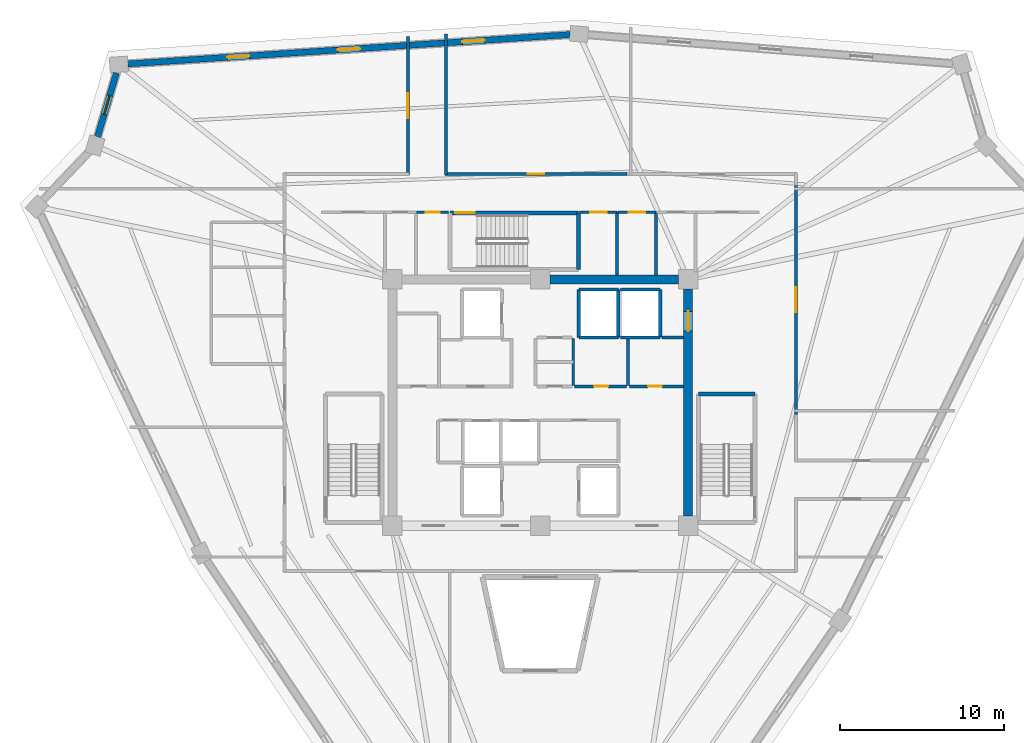
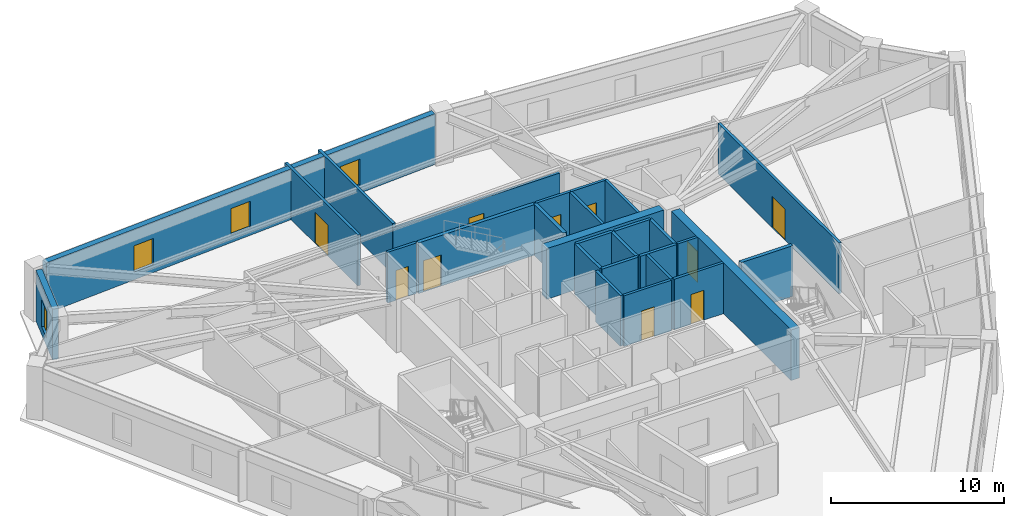
# One storey, part 6 of 8: 28 walls, 10 doors, 4 windows, 14 openings.
"""IFC4 building model written with IfcOpenShell, lengths in metres."""

from ifc_helpers import new_model, si_unit, direction, frame, frame_2d, origin, place, context, subcontext, project, spatial, rectangle, extrude, source, transform, mapped, material, layer, layer_set, type_object, element, fill, save


model = new_model("IFC4")

# Units and contexts
model_context = context("Model", 3, precision=1e-05, world=origin(), true_north=direction((0.0, 1.0)))
body_context = subcontext(model_context, "Body", "Model", "MODEL_VIEW")
ifc_project = project(units=[si_unit("LENGTHUNIT", "METRE"), si_unit("AREAUNIT", "SQUARE_METRE"), si_unit("VOLUMEUNIT", "CUBIC_METRE"), si_unit("PLANEANGLEUNIT", "RADIAN"), si_unit("MASSUNIT", "GRAM", prefix="KILO")], contexts=[model_context])

# Site, building, storey
site_placement = place(None, origin())
site = spatial("IfcSite", under=ifc_project, at=site_placement, CompositionType="ELEMENT")
building_placement = place(site_placement, origin())
building = spatial("IfcBuilding", under=site, at=building_placement, Name="Liaohun Quay Tower", CompositionType="ELEMENT")
storey_placement = place(building_placement, frame((0.0, 0.0, 290.25)))
storey = spatial("IfcBuildingStorey", under=building, at=storey_placement, Name="L75", CompositionType="ELEMENT", Elevation=290.25)

# Wall
ifc_material_1 = material(Name="Concrete C50", Category="concrete")
ifc_layer_1 = layer(ifc_material_1, 0.550048828125, Name="Concrete C50", Category="concrete")
ifc_layer_set_1 = layer_set([ifc_layer_1], Name="Concrete C50")
wall_type_1 = type_object("IfcWallType", Name="WAL-COR-Z4", PredefinedType="SHEAR", material=ifc_layer_set_1)
wall_1_placement = place(storey_placement, frame((60.60009765625, 61.5, 0.0), z_axis=(0.0, 0.0, 1.0), x_axis=(1.0, 0.0, 0.0)))
element("IfcWall", 1, at=wall_1_placement, inside=storey, type_object=wall_type_1, Name="L75 Central Core Shear Wall N-E", PredefinedType="SHEAR", context=body_context, shape_type="SweptSolid", body=[
    extrude(rectangle(XDim=7.7998046875, YDim=0.550048828125, at=frame_2d((3.89990234375, 0.0))), origin(), (0.0, 0.0, 1.0), 3.570068359375),
])

# Wall, opening, door
wall_2_placement = place(storey_placement, frame((69.0, 60.89990234375, 0.0), z_axis=(0.0, 0.0, 1.0), x_axis=(0.0, -1.0, 0.0)))
wall_2 = element("IfcWall", 2, at=wall_2_placement, inside=storey, type_object=wall_type_1, Name="L75 Central Core Shear Wall E", PredefinedType="SHEAR", context=body_context, shape_type="SweptSolid", body=[
    extrude(rectangle(XDim=13.7998046875, YDim=0.550048828125, at=frame_2d((6.89990234375, 0.0))), origin(), (0.0, 0.0, 1.0), 3.570068359375),
])
shared_shape_1 = source(origin(), body_context, "Body", "SweptSolid", [
    extrude(rectangle(XDim=1.199951171875, YDim=2.199951171875, at=frame_2d((0.60009765625, 1.10009765625))), frame((0.0, 0.284912109375, 0.0), z_axis=(0.0, -1.0, 0.0), x_axis=(1.0, 0.0, 0.0)), (0.0, 0.0, 1.0), 0.570068359375),
])
opening_1_placement = place(wall_2_placement, frame((1.35009765625, 0.0, 0.0)))
opening_1 = element("IfcOpeningElement", 3, at=opening_1_placement, cuts=wall_2, Name="Opening SD1", PredefinedType="OPENING", context=body_context, shape_type="MappedRepresentation", body=[
    mapped(shared_shape_1, transform((0.0, 0.0, 0.0), x_axis=(1.0, 0.0, 0.0), y_axis=(0.0, 1.0, 0.0), z_axis=(0.0, 0.0, 1.0), scale=1.0)),
])
ifc_material_2 = material(Name="Galvanised steel fire door", Category="steel")
door_type_1 = type_object("IfcDoorType", Name="DOR-STR-1200", OperationType="NOTDEFINED", PredefinedType="DOOR", material=ifc_material_2)
shared_shape_2 = source(origin(), body_context, "Body", "SweptSolid", [
    extrude(rectangle(XDim=1.199951171875, YDim=2.199951171875, at=frame_2d((0.60009765625, 1.10009765625))), frame((0.0, 0.02490234375, 0.0), z_axis=(0.0, -1.0, 0.0), x_axis=(1.0, 0.0, 0.0)), (0.0, 0.0, 1.0), 0.050048828125),
])
door_1_placement = place(opening_1_placement, origin())
door_1 = element("IfcDoor", 4, at=door_1_placement, inside=storey, type_object=door_type_1, Name="L75 North-East Core Lobby Smokeproof Door", OperationType="SINGLE_SWING_LEFT", OverallHeight=2.199951171875, OverallWidth=1.199951171875, PredefinedType="DOOR", context=body_context, shape_type="MappedRepresentation", body=[
    mapped(shared_shape_2, transform((0.0, 0.0, 0.0), x_axis=(1.0, 0.0, 0.0), y_axis=(0.0, 1.0, 0.0), z_axis=(0.0, 0.0, 1.0), scale=1.0)),
])
fill(opening_1, door_1)

# Wall, openings, windows
ifc_material_3 = material(Name="Precast concrete C50 insulated sandwich", Category="concrete")
ifc_layer_2 = layer(ifc_material_3, 0.3798828125, Name="Precast concrete C50 insulated sandwich", Category="concrete")
ifc_layer_set_2 = layer_set([ifc_layer_2], Name="Precast concrete C50 insulated sandwich")
wall_type_2 = type_object("IfcWallType", Name="WAL-EXT-Z34", PredefinedType="SOLIDWALL", material=ifc_layer_set_2)
wall_3_placement = place(storey_placement, frame((61.821044921875, 76.39111328125, 0.0), z_axis=(0.0, 0.0, 1.0), x_axis=(-0.997809311933, -0.06615570285, 0.0)))
wall_3 = element("IfcWall", 5, at=wall_3_placement, inside=storey, type_object=wall_type_2, Name="L75 Brutalist Precast Pier Wall 07", PredefinedType="SOLIDWALL", context=body_context, shape_type="SweptSolid", body=[
    extrude(rectangle(XDim=26.984130859375, YDim=0.3798828125, at=frame_2d((13.4921875, 0.0))), origin(), (0.0, 0.0, 1.0), 3.570068359375),
])
shared_shape_3 = source(origin(), body_context, "Body", "SweptSolid", [
    extrude(rectangle(XDim=1.35009765625, YDim=1.85009765625, at=frame_2d((0.675048828125, 0.925048828125))), frame((0.0, 0.199951171875, 0.0), z_axis=(0.0, -1.0, 0.0), x_axis=(1.0, 0.0, 0.0)), (0.0, 0.0, 1.0), 0.39990234375),
])
opening_2_placement = place(wall_3_placement, frame((5.220947265625, 0.0, 0.550048828125)))
opening_2 = element("IfcOpeningElement", 6, at=opening_2_placement, cuts=wall_3, Name="Opening W04", PredefinedType="OPENING", context=body_context, shape_type="MappedRepresentation", body=[
    mapped(shared_shape_3, transform((0.0, 0.0, 0.0), x_axis=(1.0, 0.0, 0.0), y_axis=(0.0, 1.0, 0.0), z_axis=(0.0, 0.0, 1.0), scale=1.0)),
])
opening_3_placement = place(wall_3_placement, frame((12.81689453125, 0.0, 0.550048828125)))
opening_3 = element("IfcOpeningElement", 7, at=opening_3_placement, cuts=wall_3, Name="Opening W04", PredefinedType="OPENING", context=body_context, shape_type="MappedRepresentation", body=[
    mapped(shared_shape_3, transform((0.0, 0.0, 0.0), x_axis=(1.0, 0.0, 0.0), y_axis=(0.0, 1.0, 0.0), z_axis=(0.0, 0.0, 1.0), scale=1.0)),
])
opening_4_placement = place(wall_3_placement, frame((19.56298828125, 0.0, 0.550048828125)))
opening_4 = element("IfcOpeningElement", 8, at=opening_4_placement, cuts=wall_3, Name="Opening W04", PredefinedType="OPENING", context=body_context, shape_type="MappedRepresentation", body=[
    mapped(shared_shape_3, transform((0.0, 0.0, 0.0), x_axis=(1.0, 0.0, 0.0), y_axis=(0.0, 1.0, 0.0), z_axis=(0.0, 0.0, 1.0), scale=1.0)),
])
ifc_material_4 = material(Name="Triple Low-E argon glazing in thermally broken aluminium", Category="aluminium")
window_type_1 = type_object("IfcWindowType", Name="WIN-PUN-Z4", PartitioningType="SINGLE_PANEL", PredefinedType="WINDOW", material=ifc_material_4)
shared_shape_4 = source(origin(), body_context, "Body", "SweptSolid", [
    extrude(rectangle(XDim=1.35009765625, YDim=1.85009765625, at=frame_2d((0.675048828125, 0.925048828125))), frame((0.0, 0.030029296875, 0.0), z_axis=(0.0, -1.0, 0.0), x_axis=(1.0, 0.0, 0.0)), (0.0, 0.0, 1.0), 0.06005859375),
])
window_1_placement = place(opening_2_placement, origin())
window_1 = element("IfcWindow", 9, at=window_1_placement, inside=storey, type_object=window_type_1, Name="L75 Recessed Cold-Climate Punched Window 07-1", OverallHeight=1.85009765625, OverallWidth=1.35009765625, PartitioningType="SINGLE_PANEL", PredefinedType="WINDOW", context=body_context, shape_type="MappedRepresentation", body=[
    mapped(shared_shape_4, transform((0.0, 0.0, 0.0), x_axis=(1.0, 0.0, 0.0), y_axis=(0.0, 1.0, 0.0), z_axis=(0.0, 0.0, 1.0), scale=1.0)),
])
fill(opening_2, window_1)
window_2_placement = place(opening_3_placement, origin())
window_2 = element("IfcWindow", 10, at=window_2_placement, inside=storey, type_object=window_type_1, Name="L75 Recessed Cold-Climate Punched Window 07-2", OverallHeight=1.85009765625, OverallWidth=1.35009765625, PartitioningType="SINGLE_PANEL", PredefinedType="WINDOW", context=body_context, shape_type="MappedRepresentation", body=[
    mapped(shared_shape_4, transform((0.0, 0.0, 0.0), x_axis=(1.0, 0.0, 0.0), y_axis=(0.0, 1.0, 0.0), z_axis=(0.0, 0.0, 1.0), scale=1.0)),
])
fill(opening_3, window_2)
window_3_placement = place(opening_4_placement, origin())
window_3 = element("IfcWindow", 11, at=window_3_placement, inside=storey, type_object=window_type_1, Name="L75 Recessed Cold-Climate Punched Window 07-3", OverallHeight=1.85009765625, OverallWidth=1.35009765625, PartitioningType="SINGLE_PANEL", PredefinedType="WINDOW", context=body_context, shape_type="MappedRepresentation", body=[
    mapped(shared_shape_4, transform((0.0, 0.0, 0.0), x_axis=(1.0, 0.0, 0.0), y_axis=(0.0, 1.0, 0.0), z_axis=(0.0, 0.0, 1.0), scale=1.0)),
])
fill(opening_4, window_3)

# Wall, opening, window
wall_4_placement = place(storey_placement, frame((34.2041015625, 74.052001953125, 0.0), z_axis=(0.0, 0.0, 1.0), x_axis=(-0.28287675233, -0.9591562662, 0.0)))
wall_4 = element("IfcWall", 12, at=wall_4_placement, inside=storey, type_object=wall_type_2, Name="L75 Brutalist Precast Pier Wall 08", PredefinedType="SOLIDWALL", context=body_context, shape_type="SweptSolid", body=[
    extrude(rectangle(XDim=4.055419921875, YDim=0.3798828125, at=frame_2d((2.02783203125, 0.0))), origin(), (0.0, 0.0, 1.0), 3.570068359375),
])
shared_shape_5 = source(origin(), body_context, "Body", "SweptSolid", [
    extrude(rectangle(XDim=1.199951171875, YDim=1.89990234375, at=frame_2d((0.60009765625, 0.949951171875))), frame((0.0, 0.199951171875, 0.0), z_axis=(0.0, -1.0, 0.0), x_axis=(1.0, 0.0, 0.0)), (0.0, 0.0, 1.0), 0.39990234375),
])
opening_5_placement = place(wall_4_placement, frame((1.427978515625, 0.0, 0.550048828125)))
opening_5 = element("IfcOpeningElement", 13, at=opening_5_placement, cuts=wall_4, Name="Opening W05", PredefinedType="OPENING", context=body_context, shape_type="MappedRepresentation", body=[
    mapped(shared_shape_5, transform((0.0, 0.0, 0.0), x_axis=(1.0, 0.0, 0.0), y_axis=(0.0, 1.0, 0.0), z_axis=(0.0, 0.0, 1.0), scale=1.0)),
])
ifc_material_5 = material(Name="Triple Low-E corner notch glazing", Category="glass")
window_type_2 = type_object("IfcWindowType", Name="WIN-NOTCH", PartitioningType="SINGLE_PANEL", PredefinedType="WINDOW", material=ifc_material_5)
shared_shape_6 = source(origin(), body_context, "Body", "SweptSolid", [
    extrude(rectangle(XDim=1.199951171875, YDim=1.89990234375, at=frame_2d((0.60009765625, 0.949951171875))), frame((0.0, 0.030029296875, 0.0), z_axis=(0.0, -1.0, 0.0), x_axis=(1.0, 0.0, 0.0)), (0.0, 0.0, 1.0), 0.06005859375),
])
window_4_placement = place(opening_5_placement, origin())
window_4 = element("IfcWindow", 14, at=window_4_placement, inside=storey, type_object=window_type_2, Name="L75 Corner Notch Window W05-08", OverallHeight=1.89990234375, OverallWidth=1.199951171875, PartitioningType="SINGLE_PANEL", PredefinedType="WINDOW", context=body_context, shape_type="MappedRepresentation", body=[
    mapped(shared_shape_6, transform((0.0, 0.0, 0.0), x_axis=(1.0, 0.0, 0.0), y_axis=(0.0, 1.0, 0.0), z_axis=(0.0, 0.0, 1.0), scale=1.0)),
])
fill(opening_5, window_4)

# Wall, opening, door
ifc_material_6 = material(Name="Autoclaved aerated concrete blockwork", Category="masonry")
ifc_layer_3 = layer(ifc_material_6, 0.179931640625, Name="Autoclaved aerated concrete blockwork", Category="masonry")
ifc_layer_set_3 = layer_set([ifc_layer_3], Name="Autoclaved aerated concrete blockwork")
wall_type_3 = type_object("IfcWallType", Name="WAL-PRT-COR", PredefinedType="PARTITIONING", material=ifc_layer_set_3)
wall_5_placement = place(storey_placement, frame((62.10009765625, 54.97998046875, 0.0), z_axis=(0.0, 0.0, 1.0), x_axis=(1.0, 0.0, 0.0)))
wall_5 = element("IfcWall", 15, at=wall_5_placement, inside=storey, type_object=wall_type_3, Name="L75 Interior Partition Wall 004", PredefinedType="PARTITIONING", context=body_context, shape_type="SweptSolid", body=[
    extrude(rectangle(XDim=3.159912109375, YDim=0.179931640625, at=frame_2d((1.580078125, 0.0))), origin(), (0.0, 0.0, 1.0), 3.570068359375),
])
shared_shape_7 = source(origin(), body_context, "Body", "SweptSolid", [
    extrude(rectangle(XDim=0.85009765625, YDim=2.10009765625, at=frame_2d((0.425048828125, 1.050048828125))), frame((0.0, 0.099853515625, 0.0), z_axis=(0.0, -1.0, 0.0), x_axis=(1.0, 0.0, 0.0)), (0.0, 0.0, 1.0), 0.199951171875),
])
opening_6_placement = place(wall_5_placement, frame((1.175048828125, 0.0, 0.0)))
opening_6 = element("IfcOpeningElement", 16, at=opening_6_placement, cuts=wall_5, Name="Opening AD1", PredefinedType="OPENING", context=body_context, shape_type="MappedRepresentation", body=[
    mapped(shared_shape_7, transform((0.0, 0.0, 0.0), x_axis=(1.0, 0.0, 0.0), y_axis=(0.0, 1.0, 0.0), z_axis=(0.0, 0.0, 1.0), scale=1.0)),
])
ifc_material_7 = material(Name="Steel riser inspection fire door", Category="steel")
door_type_2 = type_object("IfcDoorType", Name="DOR-SHF-850", OperationType="NOTDEFINED", PredefinedType="DOOR", material=ifc_material_7)
shared_shape_8 = source(origin(), body_context, "Body", "SweptSolid", [
    extrude(rectangle(XDim=0.85009765625, YDim=2.10009765625, at=frame_2d((0.425048828125, 1.050048828125))), frame((0.0, 0.02490234375, 0.0), z_axis=(0.0, -1.0, 0.0), x_axis=(1.0, 0.0, 0.0)), (0.0, 0.0, 1.0), 0.050048828125),
])
door_2_placement = place(opening_6_placement, origin())
door_2 = element("IfcDoor", 17, at=door_2_placement, inside=storey, type_object=door_type_2, Name="L75 Core Facilities Store Door", OperationType="SINGLE_SWING_RIGHT", OverallHeight=2.10009765625, OverallWidth=0.85009765625, PredefinedType="DOOR", context=body_context, shape_type="MappedRepresentation", body=[
    mapped(shared_shape_8, transform((0.0, 0.0, 0.0), x_axis=(1.0, 0.0, 0.0), y_axis=(0.0, 1.0, 0.0), z_axis=(0.0, 0.0, 1.0), scale=1.0)),
])
fill(opening_6, door_2)

wall_6_placement = place(storey_placement, frame((65.43994140625, 54.97998046875, 0.0), z_axis=(0.0, 0.0, 1.0), x_axis=(1.0, 0.0, 0.0)))
wall_6 = element("IfcWall", 18, at=wall_6_placement, inside=storey, type_object=wall_type_3, Name="L75 Interior Partition Wall 005", PredefinedType="PARTITIONING", context=body_context, shape_type="SweptSolid", body=[
    extrude(rectangle(XDim=3.28515625, YDim=0.179931640625, at=frame_2d((1.642578125, 0.0))), origin(), (0.0, 0.0, 1.0), 3.570068359375),
])
opening_7_placement = place(wall_6_placement, frame((1.1201171875, 0.0, 0.0)))
opening_7 = element("IfcOpeningElement", 19, at=opening_7_placement, cuts=wall_6, Name="Opening AD1", PredefinedType="OPENING", context=body_context, shape_type="MappedRepresentation", body=[
    mapped(shared_shape_7, transform((0.0, 0.0, 0.0), x_axis=(1.0, 0.0, 0.0), y_axis=(0.0, 1.0, 0.0), z_axis=(0.0, 0.0, 1.0), scale=1.0)),
])
door_3_placement = place(opening_7_placement, origin())
door_3 = element("IfcDoor", 20, at=door_3_placement, inside=storey, type_object=door_type_2, Name="L75 Core Comms Equipment Room Door", OperationType="SINGLE_SWING_LEFT", OverallHeight=2.10009765625, OverallWidth=0.85009765625, PredefinedType="DOOR", context=body_context, shape_type="MappedRepresentation", body=[
    mapped(shared_shape_8, transform((0.0, 0.0, 0.0), x_axis=(1.0, 0.0, 0.0), y_axis=(0.0, 1.0, 0.0), z_axis=(0.0, 0.0, 1.0), scale=1.0)),
])
fill(opening_7, door_3)

wall_7_placement = place(storey_placement, frame((52.47998046875, 65.580078125, 0.0), z_axis=(0.0, 0.0, 1.0), x_axis=(1.0, 0.0, 0.0)))
wall_7 = element("IfcWall", 21, at=wall_7_placement, inside=storey, type_object=wall_type_3, Name="L75 Interior Partition Wall 013", PredefinedType="PARTITIONING", context=body_context, shape_type="SweptSolid", body=[
    extrude(rectangle(XDim=1.929931640625, YDim=0.179931640625, at=frame_2d((0.96484375, 0.0))), origin(), (0.0, 0.0, 1.0), 3.570068359375),
])
opening_8_placement = place(wall_7_placement, frame((0.5400390625, 0.0, 0.0)))
opening_8 = element("IfcOpeningElement", 22, at=opening_8_placement, cuts=wall_7, Name="Opening AD1", PredefinedType="OPENING", context=body_context, shape_type="MappedRepresentation", body=[
    mapped(shared_shape_7, transform((0.0, 0.0, 0.0), x_axis=(1.0, 0.0, 0.0), y_axis=(0.0, 1.0, 0.0), z_axis=(0.0, 0.0, 1.0), scale=1.0)),
])
door_4_placement = place(opening_8_placement, origin())
door_4 = element("IfcDoor", 23, at=door_4_placement, inside=storey, type_object=door_type_2, Name="L75 North-West Print Closet Door", OperationType="SINGLE_SWING_LEFT", OverallHeight=2.10009765625, OverallWidth=0.85009765625, PredefinedType="DOOR", context=body_context, shape_type="MappedRepresentation", body=[
    mapped(shared_shape_8, transform((0.0, 0.0, 0.0), x_axis=(1.0, 0.0, 0.0), y_axis=(0.0, 1.0, 0.0), z_axis=(0.0, 0.0, 1.0), scale=1.0)),
])
fill(opening_8, door_4)

wall_8_placement = place(storey_placement, frame((62.389892578125, 65.580078125, 0.0), z_axis=(0.0, 0.0, 1.0), x_axis=(1.0, 0.0, 0.0)))
wall_8 = element("IfcWall", 24, at=wall_8_placement, inside=storey, type_object=wall_type_3, Name="L75 Interior Partition Wall 014", PredefinedType="PARTITIONING", context=body_context, shape_type="SweptSolid", body=[
    extrude(rectangle(XDim=2.2900390625, YDim=0.179931640625, at=frame_2d((1.14501953125, 0.0))), origin(), (0.0, 0.0, 1.0), 3.570068359375),
])
shared_shape_9 = source(origin(), body_context, "Body", "SweptSolid", [
    extrude(rectangle(XDim=1.0, YDim=2.199951171875, at=frame_2d((0.5, 1.10009765625))), frame((0.0, 0.099853515625, 0.0), z_axis=(0.0, -1.0, 0.0), x_axis=(1.0, 0.0, 0.0)), (0.0, 0.0, 1.0), 0.199951171875),
])
opening_9_placement = place(wall_8_placement, frame((0.64501953125, 0.0, 0.0)))
opening_9 = element("IfcOpeningElement", 25, at=opening_9_placement, cuts=wall_8, Name="Opening OD1", PredefinedType="OPENING", context=body_context, shape_type="MappedRepresentation", body=[
    mapped(shared_shape_9, transform((0.0, 0.0, 0.0), x_axis=(1.0, 0.0, 0.0), y_axis=(0.0, 1.0, 0.0), z_axis=(0.0, 0.0, 1.0), scale=1.0)),
])
ifc_material_8 = material(Name="Solid-core oak veneer timber leaf in steel frame", Category="steel")
door_type_3 = type_object("IfcDoorType", Name="DOR-OFF-1000", OperationType="NOTDEFINED", PredefinedType="DOOR", material=ifc_material_8)
shared_shape_10 = source(origin(), body_context, "Body", "SweptSolid", [
    extrude(rectangle(XDim=1.0, YDim=2.199951171875, at=frame_2d((0.5, 1.10009765625))), frame((0.0, 0.02490234375, 0.0), z_axis=(0.0, -1.0, 0.0), x_axis=(1.0, 0.0, 0.0)), (0.0, 0.0, 1.0), 0.050048828125),
])
door_5_placement = place(opening_9_placement, origin())
door_5 = element("IfcDoor", 26, at=door_5_placement, inside=storey, type_object=door_type_3, Name="L75 North-East Mail Store Door", OperationType="SINGLE_SWING_RIGHT", OverallHeight=2.199951171875, OverallWidth=1.0, PredefinedType="DOOR", context=body_context, shape_type="MappedRepresentation", body=[
    mapped(shared_shape_10, transform((0.0, 0.0, 0.0), x_axis=(1.0, 0.0, 0.0), y_axis=(0.0, 1.0, 0.0), z_axis=(0.0, 0.0, 1.0), scale=1.0)),
])
fill(opening_9, door_5)

wall_9_placement = place(storey_placement, frame((64.719970703125, 65.580078125, 0.0), z_axis=(0.0, 0.0, 1.0), x_axis=(1.0, 0.0, 0.0)))
wall_9 = element("IfcWall", 27, at=wall_9_placement, inside=storey, type_object=wall_type_3, Name="L75 Interior Partition Wall 015", PredefinedType="PARTITIONING", context=body_context, shape_type="SweptSolid", body=[
    extrude(rectangle(XDim=2.320068359375, YDim=0.179931640625, at=frame_2d((1.16015625, 0.0))), origin(), (0.0, 0.0, 1.0), 3.570068359375),
])
opening_10_placement = place(wall_9_placement, frame((0.659912109375, 0.0, 0.0)))
opening_10 = element("IfcOpeningElement", 28, at=opening_10_placement, cuts=wall_9, Name="Opening OD1", PredefinedType="OPENING", context=body_context, shape_type="MappedRepresentation", body=[
    mapped(shared_shape_9, transform((0.0, 0.0, 0.0), x_axis=(1.0, 0.0, 0.0), y_axis=(0.0, 1.0, 0.0), z_axis=(0.0, 0.0, 1.0), scale=1.0)),
])
door_6_placement = place(opening_10_placement, origin())
door_6 = element("IfcDoor", 29, at=door_6_placement, inside=storey, type_object=door_type_3, Name="L75 North-East Comms Room Door", OperationType="SINGLE_SWING_LEFT", OverallHeight=2.199951171875, OverallWidth=1.0, PredefinedType="DOOR", context=body_context, shape_type="MappedRepresentation", body=[
    mapped(shared_shape_10, transform((0.0, 0.0, 0.0), x_axis=(1.0, 0.0, 0.0), y_axis=(0.0, 1.0, 0.0), z_axis=(0.0, 0.0, 1.0), scale=1.0)),
])
fill(opening_10, door_6)

wall_10_placement = place(storey_placement, frame((75.56005859375, 67.215087890625, 0.0), z_axis=(0.0, 0.0, 1.0), x_axis=(0.0, -1.0, 0.0)))
wall_10 = element("IfcWall", 30, at=wall_10_placement, inside=storey, type_object=wall_type_3, Name="L75 Interior Partition Wall 019", PredefinedType="PARTITIONING", context=body_context, shape_type="SweptSolid", body=[
    extrude(rectangle(XDim=13.93017578125, YDim=0.179931640625, at=frame_2d((6.965087890625, 0.0))), origin(), (0.0, 0.0, 1.0), 3.570068359375),
])
shared_shape_11 = source(origin(), body_context, "Body", "SweptSolid", [
    extrude(rectangle(XDim=1.5, YDim=2.199951171875, at=frame_2d((0.75, 1.10009765625))), frame((0.0, 0.099853515625, 0.0), z_axis=(0.0, -1.0, 0.0), x_axis=(1.0, 0.0, 0.0)), (0.0, 0.0, 1.0), 0.199951171875),
])
opening_11_placement = place(wall_10_placement, frame((6.215087890625, 0.0, 0.0)))
opening_11 = element("IfcOpeningElement", 31, at=opening_11_placement, cuts=wall_10, Name="Opening OD2", PredefinedType="OPENING", context=body_context, shape_type="MappedRepresentation", body=[
    mapped(shared_shape_11, transform((0.0, 0.0, 0.0), x_axis=(1.0, 0.0, 0.0), y_axis=(0.0, 1.0, 0.0), z_axis=(0.0, 0.0, 1.0), scale=1.0)),
])
ifc_material_9 = material(Name="Acoustic oak veneer double door")
door_type_4 = type_object("IfcDoorType", Name="DOR-OFF-1500", OperationType="DOUBLE_DOOR_SINGLE_SWING", PredefinedType="DOOR", material=ifc_material_9)
shared_shape_12 = source(origin(), body_context, "Body", "SweptSolid", [
    extrude(rectangle(XDim=1.5, YDim=2.199951171875, at=frame_2d((0.75, 1.10009765625))), frame((0.0, 0.02490234375, 0.0), z_axis=(0.0, -1.0, 0.0), x_axis=(1.0, 0.0, 0.0)), (0.0, 0.0, 1.0), 0.050048828125),
])
door_7_placement = place(opening_11_placement, origin())
door_7 = element("IfcDoor", 32, at=door_7_placement, inside=storey, type_object=door_type_4, Name="L75 Engineering Model Workshop 01 Door", OperationType="DOUBLE_DOOR_SINGLE_SWING", OverallHeight=2.199951171875, OverallWidth=1.5, PredefinedType="DOOR", context=body_context, shape_type="MappedRepresentation", body=[
    mapped(shared_shape_12, transform((0.0, 0.0, 0.0), x_axis=(1.0, 0.0, 0.0), y_axis=(0.0, 1.0, 0.0), z_axis=(0.0, 0.0, 1.0), scale=1.0)),
])
fill(opening_11, door_7)

wall_11_placement = place(storey_placement, frame((54.18994140625, 67.909912109375, 0.0), z_axis=(0.0, 0.0, 1.0), x_axis=(1.0, 0.0, 0.0)))
wall_11 = element("IfcWall", 33, at=wall_11_placement, inside=storey, type_object=wall_type_3, Name="L75 Interior Partition Wall 021", PredefinedType="PARTITIONING", context=body_context, shape_type="SweptSolid", body=[
    extrude(rectangle(XDim=11.094970703125, YDim=0.179931640625, at=frame_2d((5.54736328125, 0.0))), origin(), (0.0, 0.0, 1.0), 3.260986328125),
])
opening_12_placement = place(wall_11_placement, frame((5.047119140625, 0.0, 0.0)))
opening_12 = element("IfcOpeningElement", 34, at=opening_12_placement, cuts=wall_11, Name="Opening OD1", PredefinedType="OPENING", context=body_context, shape_type="MappedRepresentation", body=[
    mapped(shared_shape_9, transform((0.0, 0.0, 0.0), x_axis=(1.0, 0.0, 0.0), y_axis=(0.0, 1.0, 0.0), z_axis=(0.0, 0.0, 1.0), scale=1.0)),
])
door_8_placement = place(opening_12_placement, origin())
door_8 = element("IfcDoor", 35, at=door_8_placement, inside=storey, type_object=door_type_3, Name="L75 Engineering Model Workshop 03 Door", OperationType="SINGLE_SWING_LEFT", OverallHeight=2.199951171875, OverallWidth=1.0, PredefinedType="DOOR", context=body_context, shape_type="MappedRepresentation", body=[
    mapped(shared_shape_10, transform((0.0, 0.0, 0.0), x_axis=(1.0, 0.0, 0.0), y_axis=(0.0, 1.0, 0.0), z_axis=(0.0, 0.0, 1.0), scale=1.0)),
])
fill(opening_12, door_8)

wall_12_placement = place(storey_placement, frame((51.93994140625, 67.840087890625, 0.0), z_axis=(0.0, 0.0, 1.0), x_axis=(0.0, 1.0, 0.0)))
wall_12 = element("IfcWall", 36, at=wall_12_placement, inside=storey, type_object=wall_type_3, Name="L75 Interior Partition Wall 022", PredefinedType="PARTITIONING", context=body_context, shape_type="SweptSolid", body=[
    extrude(rectangle(XDim=8.43701171875, YDim=0.179931640625, at=frame_2d((4.218505859375, 0.0))), origin(), (0.0, 0.0, 1.0), 3.570068359375),
])
opening_13_placement = place(wall_12_placement, frame((3.468017578125, 0.0, 0.0)))
opening_13 = element("IfcOpeningElement", 37, at=opening_13_placement, cuts=wall_12, Name="Opening OD2", PredefinedType="OPENING", context=body_context, shape_type="MappedRepresentation", body=[
    mapped(shared_shape_11, transform((0.0, 0.0, 0.0), x_axis=(1.0, 0.0, 0.0), y_axis=(0.0, 1.0, 0.0), z_axis=(0.0, 0.0, 1.0), scale=1.0)),
])
door_9_placement = place(opening_13_placement, origin())
door_9 = element("IfcDoor", 38, at=door_9_placement, inside=storey, type_object=door_type_4, Name="L75 Project Collaboration Studio 04 Door", OperationType="DOUBLE_DOOR_SINGLE_SWING", OverallHeight=2.199951171875, OverallWidth=1.5, PredefinedType="DOOR", context=body_context, shape_type="MappedRepresentation", body=[
    mapped(shared_shape_12, transform((0.0, 0.0, 0.0), x_axis=(1.0, 0.0, 0.0), y_axis=(0.0, 1.0, 0.0), z_axis=(0.0, 0.0, 1.0), scale=1.0)),
])
fill(opening_13, door_9)

# Walls
wall_13_placement = place(storey_placement, frame((65.35009765625, 55.02001953125, 0.0), z_axis=(0.0, 0.0, 1.0), x_axis=(0.0, 1.0, 0.0)))
element("IfcWall", 39, at=wall_13_placement, inside=storey, type_object=wall_type_3, Name="L75 Interior Partition Wall 030", PredefinedType="PARTITIONING", context=body_context, shape_type="SweptSolid", body=[
    extrude(rectangle(XDim=2.85986328125, YDim=0.179931640625, at=frame_2d((1.429931640625, 0.0))), origin(), (0.0, 0.0, 1.0), 3.570068359375),
])
wall_14_placement = place(storey_placement, frame((62.010009765625, 55.02001953125, 0.0), z_axis=(0.0, 0.0, 1.0), x_axis=(0.0, 1.0, 0.0)))
element("IfcWall", 40, at=wall_14_placement, inside=storey, type_object=wall_type_3, Name="L75 Interior Partition Wall 032", PredefinedType="PARTITIONING", context=body_context, shape_type="SweptSolid", body=[
    extrude(rectangle(XDim=2.8798828125, YDim=0.179931640625, at=frame_2d((1.43994140625, 0.0))), origin(), (0.0, 0.0, 1.0), 3.570068359375),
])
for number, where, z_axis, x_axis, name in (
    (41, (64.679931640625, 61.77490234375, 0.0), (0.0, 0.0, 1.0), (0.0, 1.0, 0.0), "L75 Interior Partition Wall 043"),
    (42, (67.0400390625, 61.77490234375, 0.0), (0.0, 0.0, 1.0), (0.0, 1.0, 0.0), "L75 Interior Partition Wall 044"),
):
    element("IfcWall", number, at=place(storey_placement, frame(where, z_axis=z_axis, x_axis=x_axis)), inside=storey, type_object=wall_type_3, Name=name, PredefinedType="PARTITIONING", context=body_context, shape_type="SweptSolid", body=[
        extrude(rectangle(XDim=3.80517578125, YDim=0.179931640625, at=frame_2d((1.902587890625, 0.0))), origin(), (0.0, 0.0, 1.0), 3.570068359375),
    ])
wall_15_placement = place(storey_placement, frame((54.260009765625, 76.430908203125, 0.0), z_axis=(0.0, 0.0, 1.0), x_axis=(0.0, -1.0, 0.0)))
element("IfcWall", 43, at=wall_15_placement, inside=storey, type_object=wall_type_3, Name="L75 Interior Partition Wall 047", PredefinedType="PARTITIONING", context=body_context, shape_type="SweptSolid", body=[
    extrude(rectangle(XDim=8.5908203125, YDim=0.179931640625, at=frame_2d((4.29541015625, 0.0))), origin(), (0.0, 0.0, 1.0), 3.570068359375),
])
wall_16_placement = place(storey_placement, frame((67.39990234375, 57.949951171875, 0.0), z_axis=(0.0, 0.0, 1.0), x_axis=(1.0, 0.0, 0.0)))
element("IfcWall", 44, at=wall_16_placement, inside=storey, type_object=wall_type_3, Name="L75 Interior Partition Wall 070", PredefinedType="PARTITIONING", context=body_context, shape_type="SweptSolid", body=[
    extrude(rectangle(XDim=1.3251953125, YDim=0.179931640625, at=frame_2d((0.66259765625, 0.0))), origin(), (0.0, 0.0, 1.0), 3.570068359375),
])
ifc_layer_4 = layer(ifc_material_1, 0.239990234375, Name="Concrete C50", Category="concrete")
ifc_layer_set_4 = layer_set([ifc_layer_4], Name="Concrete C50")
wall_type_4 = type_object("IfcWallType", Name="WAL-SHF-200", PredefinedType="SOLIDWALL", material=ifc_layer_set_4)
for number, where, z_axis, x_axis, name in (
    (45, (73.06005859375, 54.52001953125, 0.0), (0.0, 0.0, 1.0), (-1.0, 0.0, 0.0), "L75 Stairwell ST-2 Structural Core Wall N"),
    (46, (62.320068359375, 62.10009765625, 0.0), (0.0, 0.0, 1.0), (0.0, 1.0, 0.0), "L75 Stairwell ST-3 Structural Core Wall E"),
):
    element("IfcWall", number, at=place(storey_placement, frame(where, z_axis=z_axis, x_axis=x_axis)), inside=storey, type_object=wall_type_4, Name=name, PredefinedType="SOLIDWALL", context=body_context, shape_type="SweptSolid", body=[
        extrude(rectangle(XDim=3.43994140625, YDim=0.239990234375, at=frame_2d((1.719970703125, 0.0))), origin(), (0.0, 0.0, 1.0), 3.570068359375),
    ])

# Wall, opening, door
wall_17_placement = place(storey_placement, frame((62.320068359375, 65.5400390625, 0.0), z_axis=(0.0, 0.0, 1.0), x_axis=(-1.0, 0.0, 0.0)))
wall_17 = element("IfcWall", 47, at=wall_17_placement, inside=storey, type_object=wall_type_4, Name="L75 Stairwell ST-3 Structural Core Wall N", PredefinedType="SOLIDWALL", context=body_context, shape_type="SweptSolid", body=[
    extrude(rectangle(XDim=7.820068359375, YDim=0.239990234375, at=frame_2d((3.91015625, 0.0))), origin(), (0.0, 0.0, 1.0), 3.570068359375),
])
shared_shape_13 = source(origin(), body_context, "Body", "SweptSolid", [
    extrude(rectangle(XDim=1.199951171875, YDim=2.199951171875, at=frame_2d((0.60009765625, 1.10009765625))), frame((0.0, 0.1298828125, 0.0), z_axis=(0.0, -1.0, 0.0), x_axis=(1.0, 0.0, 0.0)), (0.0, 0.0, 1.0), 0.260009765625),
])
opening_14_placement = place(wall_17_placement, frame((6.300048828125, 0.0, 0.0)))
opening_14 = element("IfcOpeningElement", 48, at=opening_14_placement, cuts=wall_17, Name="Opening SD1", PredefinedType="OPENING", context=body_context, shape_type="MappedRepresentation", body=[
    mapped(shared_shape_13, transform((0.0, 0.0, 0.0), x_axis=(1.0, 0.0, 0.0), y_axis=(0.0, 1.0, 0.0), z_axis=(0.0, 0.0, 1.0), scale=1.0)),
])
door_10_placement = place(opening_14_placement, origin())
door_10 = element("IfcDoor", 49, at=door_10_placement, inside=storey, type_object=door_type_1, Name="L75 Protected Stair ST-3 Fire Door", OperationType="SINGLE_SWING_RIGHT", OverallHeight=2.199951171875, OverallWidth=1.199951171875, PredefinedType="DOOR", context=body_context, shape_type="MappedRepresentation", body=[
    mapped(shared_shape_2, transform((0.0, 0.0, 0.0), x_axis=(1.0, 0.0, 0.0), y_axis=(0.0, 1.0, 0.0), z_axis=(0.0, 0.0, 1.0), scale=1.0)),
])
fill(opening_14, door_10)

# Walls
wall_18_placement = place(storey_placement, frame((62.35009765625, 57.949951171875, 0.0), z_axis=(0.0, 0.0, 1.0), x_axis=(1.0, 0.0, 0.0)))
element("IfcWall", 50, at=wall_18_placement, inside=storey, type_object=wall_type_4, Name="L75 Lift OB-01 Hoistway Wall S", PredefinedType="SOLIDWALL", context=body_context, shape_type="SweptSolid", body=[
    extrude(rectangle(XDim=2.39990234375, YDim=0.199951171875, at=frame_2d((1.199951171875, 0.0))), origin(), (0.0, 0.0, 1.0), 3.570068359375),
])
wall_19_placement = place(storey_placement, frame((64.75, 57.949951171875, 0.0), z_axis=(0.0, 0.0, 1.0), x_axis=(0.0, 1.0, 0.0)))
element("IfcWall", 51, at=wall_19_placement, inside=storey, type_object=wall_type_4, Name="L75 Lift OB-01 Hoistway Wall E", PredefinedType="SOLIDWALL", context=body_context, shape_type="SweptSolid", body=[
    extrude(rectangle(XDim=2.929931640625, YDim=0.199951171875, at=frame_2d((1.46484375, 0.0))), origin(), (0.0, 0.0, 1.0), 3.570068359375),
])
wall_20_placement = place(storey_placement, frame((64.75, 60.8798828125, 0.0), z_axis=(0.0, 0.0, 1.0), x_axis=(-1.0, 0.0, 0.0)))
element("IfcWall", 52, at=wall_20_placement, inside=storey, type_object=wall_type_4, Name="L75 Lift OB-01 Hoistway Wall N", PredefinedType="SOLIDWALL", context=body_context, shape_type="SweptSolid", body=[
    extrude(rectangle(XDim=2.39990234375, YDim=0.199951171875, at=frame_2d((1.199951171875, 0.0))), origin(), (0.0, 0.0, 1.0), 3.570068359375),
])
wall_21_placement = place(storey_placement, frame((62.35009765625, 60.8798828125, 0.0), z_axis=(0.0, 0.0, 1.0), x_axis=(0.0, -1.0, 0.0)))
element("IfcWall", 53, at=wall_21_placement, inside=storey, type_object=wall_type_4, Name="L75 Lift OB-01 Hoistway Wall W", PredefinedType="SOLIDWALL", context=body_context, shape_type="SweptSolid", body=[
    extrude(rectangle(XDim=2.929931640625, YDim=0.199951171875, at=frame_2d((1.46484375, 0.0))), origin(), (0.0, 0.0, 1.0), 3.570068359375),
])
wall_22_placement = place(storey_placement, frame((64.89990234375, 57.949951171875, 0.0), z_axis=(0.0, 0.0, 1.0), x_axis=(1.0, 0.0, 0.0)))
element("IfcWall", 54, at=wall_22_placement, inside=storey, type_object=wall_type_4, Name="L75 Lift OB-02 Hoistway Wall S", PredefinedType="SOLIDWALL", context=body_context, shape_type="SweptSolid", body=[
    extrude(rectangle(XDim=2.400146484375, YDim=0.199951171875, at=frame_2d((1.2001953125, 0.0))), origin(), (0.0, 0.0, 1.0), 3.570068359375),
])
wall_23_placement = place(storey_placement, frame((67.300048828125, 57.949951171875, 0.0), z_axis=(0.0, 0.0, 1.0), x_axis=(0.0, 1.0, 0.0)))
element("IfcWall", 55, at=wall_23_placement, inside=storey, type_object=wall_type_4, Name="L75 Lift OB-02 Hoistway Wall E", PredefinedType="SOLIDWALL", context=body_context, shape_type="SweptSolid", body=[
    extrude(rectangle(XDim=2.929931640625, YDim=0.199951171875, at=frame_2d((1.46484375, 0.0))), origin(), (0.0, 0.0, 1.0), 3.570068359375),
])
wall_24_placement = place(storey_placement, frame((67.300048828125, 60.8798828125, 0.0), z_axis=(0.0, 0.0, 1.0), x_axis=(-1.0, 0.0, 0.0)))
element("IfcWall", 56, at=wall_24_placement, inside=storey, type_object=wall_type_4, Name="L75 Lift OB-02 Hoistway Wall N", PredefinedType="SOLIDWALL", context=body_context, shape_type="SweptSolid", body=[
    extrude(rectangle(XDim=2.400146484375, YDim=0.199951171875, at=frame_2d((1.2001953125, 0.0))), origin(), (0.0, 0.0, 1.0), 3.570068359375),
])

save(model, "model.ifc")
